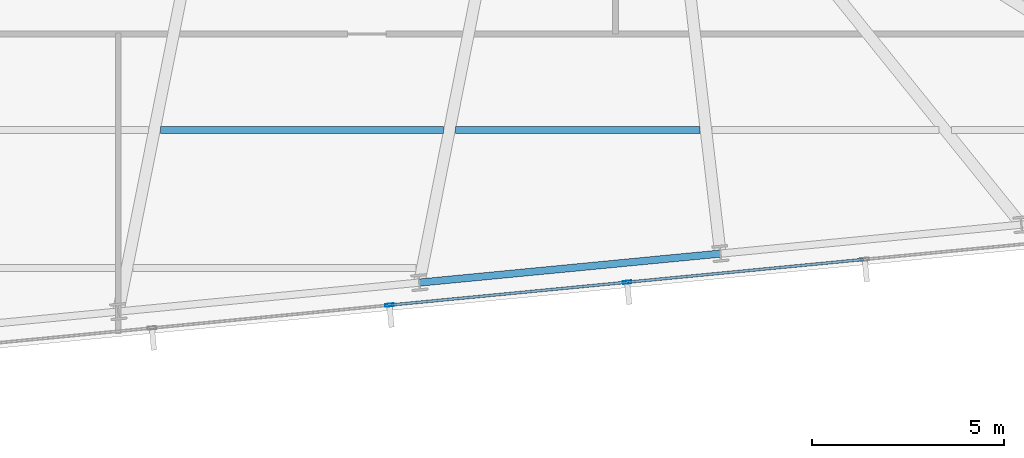
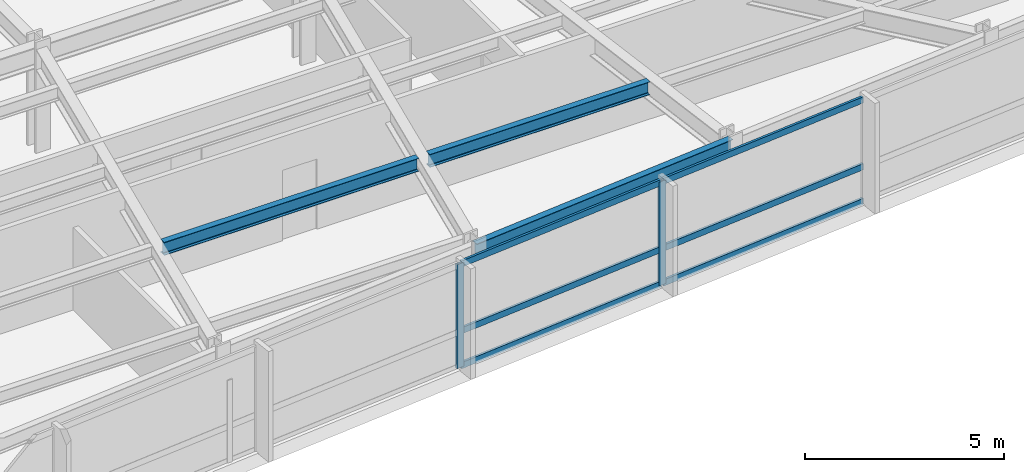
# One storey, part 11 of 33: 8 members, 3 beams, 1 element without a shape of its own.
"""IFC4 building model written with IfcOpenShell, lengths in metres."""

from ifc_helpers import new_model, si_unit, direction, frame, origin, origin_2d, place, context, subcontext, project, spatial, hollow_rectangle, i_section, extrude, material, material_profile, profile_set, type_object, element, aggregate, save


model = new_model("IFC4")

# Units and contexts
model_context = context("Model", 3, precision=1e-05, world=origin(), true_north=direction((0.0, 1.0)))
body_context = subcontext(model_context, "Body", "Model", "MODEL_VIEW")
ifc_project = project(units=[si_unit("LENGTHUNIT", "METRE"), si_unit("AREAUNIT", "SQUARE_METRE"), si_unit("VOLUMEUNIT", "CUBIC_METRE"), si_unit("PLANEANGLEUNIT", "RADIAN"), si_unit("MASSUNIT", "GRAM", prefix="KILO")], contexts=[model_context])

# Site, building, storey
site_placement = place(None, origin())
site = spatial("IfcSite", under=ifc_project, at=site_placement, CompositionType="ELEMENT")
building_placement = place(site_placement, origin())
building = spatial("IfcBuilding", under=site, at=building_placement, Name="Yelkora Congress Tower", CompositionType="ELEMENT")
storey_placement = place(building_placement, frame((0.0, 0.0, 89.699951171875)))
storey = spatial("IfcBuildingStorey", under=building, at=storey_placement, Name="L23", CompositionType="ELEMENT", Elevation=89.699951171875)

# Beams
ifc_material_1 = material(Name="Steel S355J2", Category="steel")
ifc_material_profile_1 = material_profile(ifc_material_1, i_section(OverallWidth=0.179931640625, OverallDepth=0.39990234375, WebThickness=0.008544921875, FlangeThickness=0.013427734375, FilletRadius=0.02099609375, at=origin_2d()), Name="IPE 400")
ifc_profile_set_1 = profile_set([ifc_material_profile_1], Name="Steel S355J2")
beam_type_1 = type_object("IfcBeamType", Name="BM-JOIST-IPE400", PredefinedType="JOIST", material=ifc_profile_set_1)
beam_1_placement = place(storey_placement, frame((44.436767578125, 16.144287109375, 2.97998046875), z_axis=(1.0, 0.0, 0.0), x_axis=(0.0, 1.0, 0.0)))
element("IfcBeam", 1, at=beam_1_placement, inside=storey, type_object=beam_type_1, Name="L23 Composite Floor Joist 7", PredefinedType="JOIST", context=body_context, shape_type="SweptSolid", body=[
    extrude(i_section(OverallWidth=0.179931640625, OverallDepth=0.39990234375, WebThickness=0.008544921875, FlangeThickness=0.013427734375, FilletRadius=0.02099609375, at=origin_2d()), origin(), (0.0, 0.0, 1.0), 7.373046875),
])
beam_2_placement = place(storey_placement, frame((52.1298828125, 16.144287109375, 2.97998046875), z_axis=(1.0, 0.0, 0.0), x_axis=(0.0, 1.0, 0.0)))
element("IfcBeam", 2, at=beam_2_placement, inside=storey, type_object=beam_type_1, Name="L23 Composite Floor Joist 8", PredefinedType="JOIST", context=body_context, shape_type="SweptSolid", body=[
    extrude(i_section(OverallWidth=0.179931640625, OverallDepth=0.39990234375, WebThickness=0.008544921875, FlangeThickness=0.013427734375, FilletRadius=0.02099609375, at=origin_2d()), origin(), (0.0, 0.0, 1.0), 6.3671875),
])
ifc_material_profile_2 = material_profile(ifc_material_1, i_section(OverallWidth=0.18994140625, OverallDepth=0.449951171875, WebThickness=0.009521484375, FlangeThickness=0.0146484375, FilletRadius=0.02099609375, at=origin_2d()), Name="IPE 450")
ifc_profile_set_2 = profile_set([ifc_material_profile_2], Name="Steel S355J2")
beam_type_2 = type_object("IfcBeamType", Name="BM-SPAN-IPE450", PredefinedType="SPANDREL", material=ifc_profile_set_2)
beam_3_placement = place(storey_placement, frame((51.18359375, 12.16748046875, 2.955078125), z_axis=(0.995395860104, 0.095849265454, 0.0), x_axis=(-0.095849265454, 0.995395860104, 0.0)))
element("IfcBeam", 3, at=beam_3_placement, inside=storey, type_object=beam_type_2, Name="L23 Perimeter Beam 7", PredefinedType="SPANDREL", context=body_context, shape_type="SweptSolid", body=[
    extrude(i_section(OverallWidth=0.18994140625, OverallDepth=0.449951171875, WebThickness=0.009521484375, FlangeThickness=0.0146484375, FilletRadius=0.02099609375, at=origin_2d()), origin(), (0.0, 0.0, 1.0), 7.885986328125),
])

# Curtain wall, members
ifc_material_2 = material(Name="Anodised aluminium and insulated glass", Category="aluminium")
curtain_wall_type = type_object("IfcCurtainWallType", Name="CW-SYS-SKY", PredefinedType="NOTDEFINED", material=ifc_material_2)
curtain_wall_placement = place(storey_placement, origin())
curtain_wall = element("IfcCurtainWall", 4, at=curtain_wall_placement, inside=storey, type_object=curtain_wall_type, Name="L23 Unitised Curtain Wall 20", PredefinedType="NOTDEFINED")
ifc_material_3 = material(Name="Anodised aluminium 6063-T6", Category="aluminium")
ifc_material_profile_3 = material_profile(ifc_material_3, hollow_rectangle(XDim=0.074951171875, YDim=0.219970703125, WallThickness=0.0048828125, at=origin_2d()), Name="ALU 75x220x5")
ifc_profile_set_3 = profile_set([ifc_material_profile_3], Name="Anodised aluminium 6063-T6")
member_type_1 = type_object("IfcMemberType", Name="MEM-ML-SKY", PredefinedType="MULLION", material=ifc_profile_set_3)
member_1_placement = place(storey_placement, frame((56.601318359375, 12.177001953125, 0.0), z_axis=(0.0, 0.0, 1.0), x_axis=(0.095844345816, -0.995396333816, 0.0)))
member_1 = element("IfcMember", 5, at=member_1_placement, type_object=member_type_1, Name="CW-SKY mullion 4", PredefinedType="MULLION", context=body_context, shape_type="SweptSolid", body=[
    extrude(hollow_rectangle(XDim=0.074951171875, YDim=0.219970703125, WallThickness=0.0048828125, at=origin_2d()), origin(), (0.0, 0.0, 1.0), 3.179931640625),
])
member_2_placement = place(storey_placement, frame((50.40576171875, 11.580322265625, 0.0), z_axis=(0.0, 0.0, 1.0), x_axis=(0.095844345816, -0.995396333816, 0.0)))
member_2 = element("IfcMember", 6, at=member_2_placement, type_object=member_type_1, Name="CW-SKY mullion 5", PredefinedType="MULLION", context=body_context, shape_type="SweptSolid", body=[
    extrude(hollow_rectangle(XDim=0.074951171875, YDim=0.219970703125, WallThickness=0.0048828125, at=origin_2d()), origin(), (0.0, 0.0, 1.0), 3.179931640625),
])
ifc_material_profile_4 = material_profile(ifc_material_3, hollow_rectangle(XDim=0.070068359375, YDim=0.18994140625, WallThickness=0.00390625, at=origin_2d()), Name="ALU 70x190x4")
ifc_profile_set_4 = profile_set([ifc_material_profile_4], Name="Anodised aluminium 6063-T6")
member_type_2 = type_object("IfcMemberType", Name="MEM-TR-SKY", PredefinedType="USERDEFINED", material=ifc_profile_set_4)
member_3_placement = place(storey_placement, frame((62.760009765625, 12.77001953125, 0.03515625), z_axis=(-0.9953971653, -0.095835710008, 0.0), x_axis=(0.095835710008, -0.9953971653, 0.0)))
member_3 = element("IfcMember", 7, at=member_3_placement, type_object=member_type_2, Name="CW-SKY transom 3.1", ObjectType="TRANSOM", PredefinedType="USERDEFINED", context=body_context, shape_type="SweptSolid", body=[
    extrude(hollow_rectangle(XDim=0.070068359375, YDim=0.18994140625, WallThickness=0.00390625, at=origin_2d()), origin(), (0.0, 0.0, 1.0), 6.149658203125),
])
member_4_placement = place(storey_placement, frame((62.760009765625, 12.77001953125, 1.10009765625), z_axis=(-0.9953971653, -0.095835710008, 0.0), x_axis=(0.095835710008, -0.9953971653, 0.0)))
member_4 = element("IfcMember", 8, at=member_4_placement, type_object=member_type_2, Name="CW-SKY transom 3.2", ObjectType="TRANSOM", PredefinedType="USERDEFINED", context=body_context, shape_type="SweptSolid", body=[
    extrude(hollow_rectangle(XDim=0.070068359375, YDim=0.18994140625, WallThickness=0.00390625, at=origin_2d()), origin(), (0.0, 0.0, 1.0), 6.149658203125),
])
member_5_placement = place(storey_placement, frame((62.760009765625, 12.77001953125, 3.14501953125), z_axis=(-0.9953971653, -0.095835710008, 0.0), x_axis=(0.095835710008, -0.9953971653, 0.0)))
member_5 = element("IfcMember", 9, at=member_5_placement, type_object=member_type_2, Name="CW-SKY transom 3.3", ObjectType="TRANSOM", PredefinedType="USERDEFINED", context=body_context, shape_type="SweptSolid", body=[
    extrude(hollow_rectangle(XDim=0.070068359375, YDim=0.18994140625, WallThickness=0.00390625, at=origin_2d()), origin(), (0.0, 0.0, 1.0), 6.149658203125),
])
member_6_placement = place(storey_placement, frame((56.564208984375, 12.17333984375, 0.03515625), z_axis=(-0.9953971653, -0.095835710008, 0.0), x_axis=(0.095835710008, -0.9953971653, 0.0)))
member_6 = element("IfcMember", 10, at=member_6_placement, type_object=member_type_2, Name="CW-SKY transom 4.1", ObjectType="TRANSOM", PredefinedType="USERDEFINED", context=body_context, shape_type="SweptSolid", body=[
    extrude(hollow_rectangle(XDim=0.070068359375, YDim=0.18994140625, WallThickness=0.00390625, at=origin_2d()), origin(), (0.0, 0.0, 1.0), 6.149658203125),
])
member_7_placement = place(storey_placement, frame((56.564208984375, 12.17333984375, 1.10009765625), z_axis=(-0.9953971653, -0.095835710008, 0.0), x_axis=(0.095835710008, -0.9953971653, 0.0)))
member_7 = element("IfcMember", 11, at=member_7_placement, type_object=member_type_2, Name="CW-SKY transom 4.2", ObjectType="TRANSOM", PredefinedType="USERDEFINED", context=body_context, shape_type="SweptSolid", body=[
    extrude(hollow_rectangle(XDim=0.070068359375, YDim=0.18994140625, WallThickness=0.00390625, at=origin_2d()), origin(), (0.0, 0.0, 1.0), 6.149658203125),
])
member_8_placement = place(storey_placement, frame((56.564208984375, 12.17333984375, 3.14501953125), z_axis=(-0.9953971653, -0.095835710008, 0.0), x_axis=(0.095835710008, -0.9953971653, 0.0)))
member_8 = element("IfcMember", 12, at=member_8_placement, type_object=member_type_2, Name="CW-SKY transom 4.3", ObjectType="TRANSOM", PredefinedType="USERDEFINED", context=body_context, shape_type="SweptSolid", body=[
    extrude(hollow_rectangle(XDim=0.070068359375, YDim=0.18994140625, WallThickness=0.00390625, at=origin_2d()), origin(), (0.0, 0.0, 1.0), 6.149658203125),
])
aggregate(curtain_wall, [member_1, member_2, member_3, member_4, member_5, member_6, member_7, member_8])

save(model, "model.ifc")
